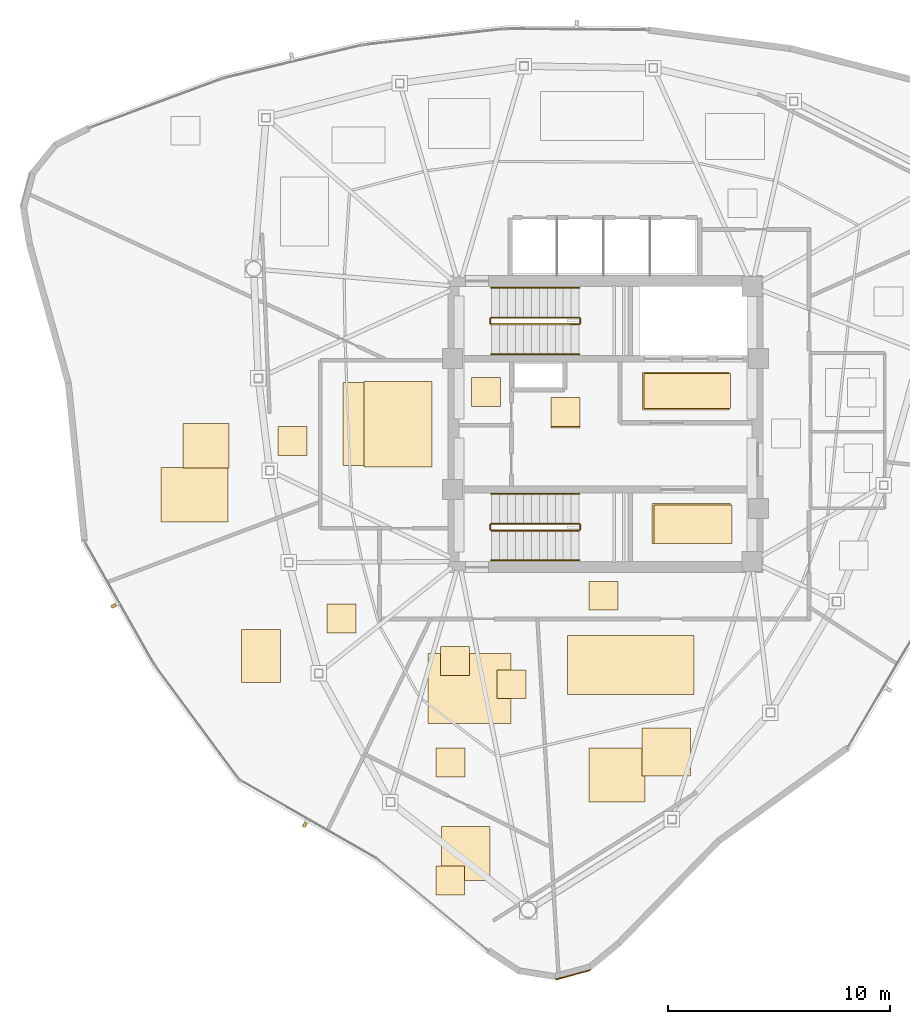
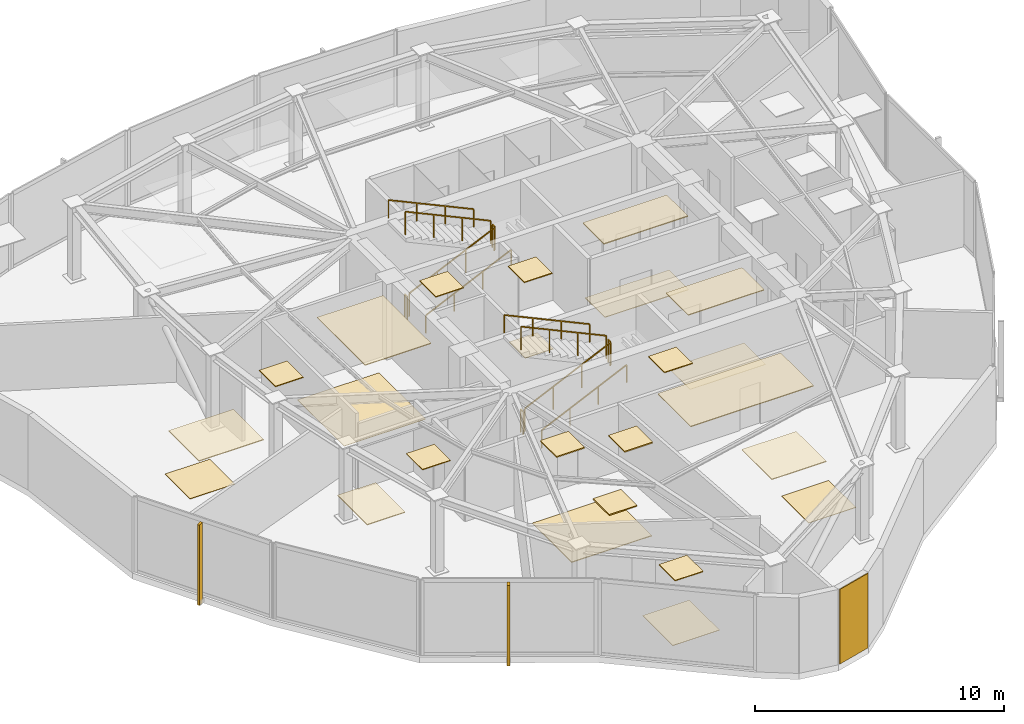
# One storey, part 10 of 11: 25 coverings, 12 railings, 2 shading devices.
"""IFC4 building model written with IfcOpenShell, lengths in metres."""

from ifc_helpers import new_model, si_unit, direction, frame, origin, origin_2d, place, context, subcontext, project, spatial, polyline, rectangle, outline, extrude, source, transform, mapped, material, layer, layer_set, type_object, type_shapes, element, save


model = new_model("IFC4")

# Units and contexts
model_context = context("Model", 3, precision=1e-05, world=origin(), true_north=direction((0.0, 1.0)))
body_context = subcontext(model_context, "Body", "Model", "MODEL_VIEW")
ifc_project = project(units=[si_unit("LENGTHUNIT", "METRE"), si_unit("AREAUNIT", "SQUARE_METRE"), si_unit("VOLUMEUNIT", "CUBIC_METRE"), si_unit("PLANEANGLEUNIT", "RADIAN"), si_unit("MASSUNIT", "GRAM", prefix="KILO")], contexts=[model_context])

# Site, building, storey
site_placement = place(None, origin())
site = spatial("IfcSite", under=ifc_project, at=site_placement, CompositionType="ELEMENT")
building_placement = place(site_placement, origin())
building = spatial("IfcBuilding", under=site, at=building_placement, Name="Tavelor Broadcast Tower", CompositionType="ELEMENT")
storey_placement = place(building_placement, frame((0.0, 0.0, 309.5)))
storey = spatial("IfcBuildingStorey", under=building, at=storey_placement, Name="L74", CompositionType="ELEMENT", Elevation=309.5)

# Coverings
ifc_material_1 = material(Name="Copper-Bronze Anodized Aluminium", Category="aluminium")
ifc_layer_1 = layer(ifc_material_1, 0.044921875)
ifc_layer_set_1 = layer_set([ifc_layer_1], Name="Copper-Bronze Anodized Aluminium")
covering_type_1 = type_object("IfcCoveringType", Name="Anodised Bronze Linear Slatted Concourse Ceiling 45 mm", PredefinedType="CEILING", material=ifc_layer_set_1)
covering_1_placement = place(storey_placement, frame((0.0, 0.0, 3.655029296875)))
element("IfcCovering", 1, at=covering_1_placement, inside=storey, type_object=covering_type_1, Name="L74 Suspended Acoustic Ceiling 2795", PredefinedType="CEILING", context=body_context, shape_type="SweptSolid", body=[
    extrude(outline(polyline([(51.659912109375, 45.6318359375), (55.55712890625, 45.6318359375), (55.55712890625, 47.328125), (51.659912109375, 47.328125), (51.659912109375, 45.6318359375)])), origin(), (0.0, 0.0, 1.0), 0.044921875),
])
covering_2_placement = place(storey_placement, frame((0.0, 0.0, 3.655029296875)))
element("IfcCovering", 2, at=covering_2_placement, inside=storey, type_object=covering_type_1, Name="L74 Suspended Acoustic Ceiling 2797", PredefinedType="CEILING", context=body_context, shape_type="SweptSolid", body=[
    extrude(outline(polyline([(47.5400390625, 44.89794921875), (48.840087890625, 44.89794921875), (48.840087890625, 46.197998046875), (47.5400390625, 46.197998046875), (47.5400390625, 44.89794921875)])), origin(), (0.0, 0.0, 1.0), 0.044921875),
])
ifc_layer_2 = layer(ifc_material_1, 0.050048828125)
ifc_layer_set_2 = layer_set([ifc_layer_2], Name="Copper-Bronze Anodized Aluminium")
covering_type_2 = type_object("IfcCoveringType", Name="Champagne-Bronze Corner Pier Metal Cladding 50 mm", PredefinedType="CLADDING", material=ifc_layer_set_2)
covering_3_placement = place(storey_placement, frame((48.534912109375, 20.165771484375, 0.02001953125), z_axis=(0.0, 0.0, 1.0), x_axis=(0.965244930214, 0.261346943155, 0.0)))
element("IfcCovering", 3, at=covering_3_placement, inside=storey, type_object=covering_type_2, Name="L74 Champagne-Bronze Corner Cladding 13", PredefinedType="CLADDING", context=body_context, shape_type="SweptSolid", body=[
    extrude(rectangle(XDim=1.6025390625, YDim=0.050048828125, at=origin_2d()), origin(), (0.0, 0.0, 1.0), 3.659912109375),
])

# Railings
ifc_material_2 = material(Name="Steel S355", Category="steel")
railing_type_1 = type_object("IfcRailingType", Name="Continuous Brushed Stainless Handrail 900 mm", PredefinedType="HANDRAIL", material=ifc_material_2)
railing_1_placement = place(storey_placement, frame((44.85009765625, 48.14990234375, 0.166748046875)))
element("IfcRailing", 4, at=railing_1_placement, inside=storey, type_object=railing_type_1, Name="L74 ST1 stair handrail 1", PredefinedType="HANDRAIL", context=body_context, shape_type="SweptSolid", body=[
    extrude(rectangle(XDim=0.048095703125, YDim=0.048095703125, at=origin_2d()), frame((0.0, 0.0, 0.8759765625), z_axis=(0.907472437036, 0.0, 0.420111623286), x_axis=(0.0, 1.0, 0.0)), (0.0, 0.0, 1.0), 4.36376953125),
    extrude(rectangle(XDim=0.0419921875, YDim=0.0419921875, at=origin_2d()), origin(), (0.0, 0.0, 1.0), 0.851806640625),
    extrude(rectangle(XDim=0.0419921875, YDim=0.0419921875, at=origin_2d()), frame((1.320068359375, 0.0, 0.611083984375)), (0.0, 0.0, 1.0), 0.851806640625),
    extrude(rectangle(XDim=0.0419921875, YDim=0.0419921875, at=origin_2d()), frame((2.639892578125, 0.0, 1.22216796875)), (0.0, 0.0, 1.0), 0.851806640625),
    extrude(rectangle(XDim=0.0419921875, YDim=0.0419921875, at=origin_2d()), frame((3.9599609375, 0.0, 1.833251953125)), (0.0, 0.0, 1.0), 0.851806640625),
])
railing_2_placement = place(storey_placement, frame((48.81005859375, 51.14990234375, 2.166748046875)))
element("IfcRailing", 5, at=railing_2_placement, inside=storey, type_object=railing_type_1, Name="L74 ST1 stair handrail 2", PredefinedType="HANDRAIL", context=body_context, shape_type="SweptSolid", body=[
    extrude(rectangle(XDim=0.048095703125, YDim=0.048095703125, at=origin_2d()), frame((0.0, 0.0, 0.8759765625), z_axis=(-0.907472437036, 0.0, 0.420111623286), x_axis=(0.0, -1.0, 0.0)), (0.0, 0.0, 1.0), 4.36376953125),
    extrude(rectangle(XDim=0.0419921875, YDim=0.0419921875, at=origin_2d()), origin(), (0.0, 0.0, 1.0), 0.851806640625),
    extrude(rectangle(XDim=0.0419921875, YDim=0.0419921875, at=origin_2d()), frame((-1.320068359375, 0.0, 0.611083984375)), (0.0, 0.0, 1.0), 0.851806640625),
    extrude(rectangle(XDim=0.0419921875, YDim=0.0419921875, at=origin_2d()), frame((-2.639892578125, 0.0, 1.22216796875)), (0.0, 0.0, 1.0), 0.851806640625),
    extrude(rectangle(XDim=0.0419921875, YDim=0.0419921875, at=origin_2d()), frame((-3.9599609375, 0.0, 1.833251953125)), (0.0, 0.0, 1.0), 0.851806640625),
])
railing_3_placement = place(storey_placement, frame((44.85009765625, 38.85009765625, 0.166748046875)))
element("IfcRailing", 6, at=railing_3_placement, inside=storey, type_object=railing_type_1, Name="L74 ST2 stair handrail 1", PredefinedType="HANDRAIL", context=body_context, shape_type="SweptSolid", body=[
    extrude(rectangle(XDim=0.048095703125, YDim=0.048095703125, at=origin_2d()), frame((0.0, 0.0, 0.8759765625), z_axis=(0.907472437036, 0.0, 0.420111623286), x_axis=(0.0, 1.0, 0.0)), (0.0, 0.0, 1.0), 4.36376953125),
    extrude(rectangle(XDim=0.0419921875, YDim=0.0419921875, at=origin_2d()), origin(), (0.0, 0.0, 1.0), 0.851806640625),
    extrude(rectangle(XDim=0.0419921875, YDim=0.0419921875, at=origin_2d()), frame((1.320068359375, 0.0, 0.611083984375)), (0.0, 0.0, 1.0), 0.851806640625),
    extrude(rectangle(XDim=0.0419921875, YDim=0.0419921875, at=origin_2d()), frame((2.639892578125, 0.0, 1.22216796875)), (0.0, 0.0, 1.0), 0.851806640625),
    extrude(rectangle(XDim=0.0419921875, YDim=0.0419921875, at=origin_2d()), frame((3.9599609375, 0.0, 1.833251953125)), (0.0, 0.0, 1.0), 0.851806640625),
])
railing_4_placement = place(storey_placement, frame((48.81005859375, 41.85009765625, 2.166748046875)))
element("IfcRailing", 7, at=railing_4_placement, inside=storey, type_object=railing_type_1, Name="L74 ST2 stair handrail 2", PredefinedType="HANDRAIL", context=body_context, shape_type="SweptSolid", body=[
    extrude(rectangle(XDim=0.048095703125, YDim=0.048095703125, at=origin_2d()), frame((0.0, 0.0, 0.8759765625), z_axis=(-0.907472437036, 0.0, 0.420111623286), x_axis=(0.0, -1.0, 0.0)), (0.0, 0.0, 1.0), 4.36376953125),
    extrude(rectangle(XDim=0.0419921875, YDim=0.0419921875, at=origin_2d()), origin(), (0.0, 0.0, 1.0), 0.851806640625),
    extrude(rectangle(XDim=0.0419921875, YDim=0.0419921875, at=origin_2d()), frame((-1.320068359375, 0.0, 0.611083984375)), (0.0, 0.0, 1.0), 0.851806640625),
    extrude(rectangle(XDim=0.0419921875, YDim=0.0419921875, at=origin_2d()), frame((-2.639892578125, 0.0, 1.22216796875)), (0.0, 0.0, 1.0), 0.851806640625),
    extrude(rectangle(XDim=0.0419921875, YDim=0.0419921875, at=origin_2d()), frame((-3.9599609375, 0.0, 1.833251953125)), (0.0, 0.0, 1.0), 0.851806640625),
])

# Coverings
ifc_material_3 = material(Name="Architectural Anodized Aluminium", Category="aluminium")
ifc_layer_3 = layer(ifc_material_3, 0.034912109375)
ifc_layer_set_3 = layer_set([ifc_layer_3], Name="Architectural Anodized Aluminium")
covering_type_3 = type_object("IfcCoveringType", Name="Demountable Metal Tile Corridor Ceiling 35 mm", PredefinedType="CEILING", material=ifc_layer_set_3)
covering_4_placement = place(storey_placement, frame((0.0, 0.0, 3.6650390625)))
element("IfcCovering", 8, at=covering_4_placement, inside=storey, type_object=covering_type_3, Name="L74 Suspended Acoustic Ceiling 2800", PredefinedType="CEILING", context=body_context, shape_type="SweptSolid", body=[
    extrude(outline(polyline([(49.261474609375, 36.610107421875), (50.5615234375, 36.610107421875), (50.5615234375, 37.909912109375), (49.261474609375, 37.909912109375), (49.261474609375, 36.610107421875)])), origin(), (0.0, 0.0, 1.0), 0.034912109375),
])
ifc_material_4 = material(Name="Acoustic Nylon Carpet Tile")
ifc_layer_4 = layer(ifc_material_4, 0.02001953125)
ifc_layer_set_4 = layer_set([ifc_layer_4], Name="Acoustic Nylon Carpet Tile")
covering_type_4 = type_object("IfcCoveringType", Name="Heavy-Duty Acoustic Broadcast Carpet Tile 20 mm", PredefinedType="FLOORING", material=ifc_layer_set_4)
covering_5_placement = place(storey_placement, origin())
element("IfcCovering", 9, at=covering_5_placement, inside=storey, type_object=covering_type_4, Name="L74 Broadcast Floor Finish 1100", PredefinedType="FLOORING", context=body_context, shape_type="SweptSolid", body=[
    extrude(outline(polyline([(52.176025390625, 39.611328125), (55.694091796875, 39.611328125), (55.694091796875, 41.341552734375), (52.176025390625, 41.341552734375), (52.176025390625, 39.611328125)])), origin(), (0.0, 0.0, 1.0), 0.02001953125),
])
covering_6_placement = place(storey_placement, origin())
element("IfcCovering", 10, at=covering_6_placement, inside=storey, type_object=covering_type_4, Name="L74 Broadcast Floor Finish 1103", PredefinedType="FLOORING", context=body_context, shape_type="SweptSolid", body=[
    extrude(outline(polyline([(38.15771484375, 43.12890625), (41.942138671875, 43.12890625), (41.942138671875, 46.87060546875), (38.15771484375, 46.87060546875), (38.15771484375, 43.12890625)])), origin(), (0.0, 0.0, 1.0), 0.02001953125),
])
covering_7_placement = place(storey_placement, origin())
element("IfcCovering", 11, at=covering_7_placement, inside=storey, type_object=covering_type_4, Name="L74 Broadcast Floor Finish 1107", PredefinedType="FLOORING", context=body_context, shape_type="SweptSolid", body=[
    extrude(outline(polyline([(51.633056640625, 29.121826171875), (53.819580078125, 29.121826171875), (53.819580078125, 31.30322265625), (51.633056640625, 31.30322265625), (51.633056640625, 29.121826171875)])), origin(), (0.0, 0.0, 1.0), 0.02001953125),
])
covering_8_placement = place(storey_placement, origin())
element("IfcCovering", 12, at=covering_8_placement, inside=storey, type_object=covering_type_4, Name="L74 Broadcast Floor Finish 1108", PredefinedType="FLOORING", context=body_context, shape_type="SweptSolid", body=[
    extrude(outline(polyline([(42.606689453125, 24.415771484375), (44.77783203125, 24.415771484375), (44.77783203125, 26.846923828125), (42.606689453125, 26.846923828125), (42.606689453125, 24.415771484375)])), origin(), (0.0, 0.0, 1.0), 0.02001953125),
])
covering_9_placement = place(storey_placement, origin())
element("IfcCovering", 13, at=covering_9_placement, inside=storey, type_object=covering_type_4, Name="L74 Broadcast Floor Finish 1109", PredefinedType="FLOORING", context=body_context, shape_type="SweptSolid", body=[
    extrude(outline(polyline([(30.9501953125, 43.020263671875), (33.0234375, 43.020263671875), (33.0234375, 45.0283203125), (30.9501953125, 45.0283203125), (30.9501953125, 43.020263671875)])), origin(), (0.0, 0.0, 1.0), 0.02001953125),
])
ifc_material_5 = material(Name="Honed Natural Limestone Tile", Category="masonry")
ifc_layer_5 = layer(ifc_material_5, 0.030029296875)
ifc_layer_set_5 = layer_set([ifc_layer_5], Name="Honed Natural Limestone Tile")
covering_type_5 = type_object("IfcCoveringType", Name="Honed Jerusalem Limestone Concourse Flooring 30 mm", PredefinedType="FLOORING", material=ifc_layer_set_5)
covering_10_placement = place(storey_placement, origin())
element("IfcCovering", 14, at=covering_10_placement, inside=storey, type_object=covering_type_5, Name="L74 Broadcast Floor Finish 1099", PredefinedType="FLOORING", context=body_context, shape_type="SweptSolid", body=[
    extrude(outline(polyline([(51.7373046875, 45.689453125), (55.62255859375, 45.689453125), (55.62255859375, 47.2705078125), (51.7373046875, 47.2705078125), (51.7373046875, 45.689453125)])), origin(), (0.0, 0.0, 1.0), 0.030029296875),
])
covering_11_placement = place(storey_placement, origin())
element("IfcCovering", 15, at=covering_11_placement, inside=storey, type_object=covering_type_5, Name="L74 Broadcast Floor Finish 1101", PredefinedType="FLOORING", context=body_context, shape_type="SweptSolid", body=[
    extrude(outline(polyline([(47.5400390625, 44.818115234375), (48.840087890625, 44.818115234375), (48.840087890625, 46.117919921875), (47.5400390625, 46.117919921875), (47.5400390625, 44.818115234375)])), origin(), (0.0, 0.0, 1.0), 0.030029296875),
])
ifc_material_6 = material(Name="Acoustic Hardwood Studio Flooring", Category="wood")
ifc_layer_6 = layer(ifc_material_6, 0.034912109375)
ifc_layer_set_6 = layer_set([ifc_layer_6], Name="Acoustic Hardwood Studio Flooring")
covering_type_6 = type_object("IfcCoveringType", Name="Isolated Studio Acoustic Elastomeric Floor Finish 35 mm", PredefinedType="FLOORING", material=ifc_layer_set_6)
covering_12_placement = place(storey_placement, origin())
element("IfcCovering", 16, at=covering_12_placement, inside=storey, type_object=covering_type_6, Name="L74 Broadcast Floor Finish 1110", PredefinedType="FLOORING", context=body_context, shape_type="SweptSolid", body=[
    extrude(outline(polyline([(42.003173828125, 31.493896484375), (45.72509765625, 31.493896484375), (45.72509765625, 34.652099609375), (42.003173828125, 34.652099609375), (42.003173828125, 31.493896484375)])), origin(), (0.0, 0.0, 1.0), 0.034912109375),
])
ifc_material_7 = material(Name="Acoustic Perforated Timber Baffle", Category="wood")
ifc_layer_7 = layer(ifc_material_7, 0.054931640625)
ifc_layer_set_7 = layer_set([ifc_layer_7], Name="Acoustic Perforated Timber Baffle")
covering_type_7 = type_object("IfcCoveringType", Name="Micro-Perforated Acoustic Baffle Studio Ceiling 55 mm", PredefinedType="CEILING", material=ifc_layer_set_7)
covering_13_placement = place(storey_placement, frame((0.0, 0.0, 3.64501953125)))
element("IfcCovering", 17, at=covering_13_placement, inside=storey, type_object=covering_type_7, Name="L74 Suspended Acoustic Ceiling 2820", PredefinedType="CEILING", context=body_context, shape_type="SweptSolid", body=[
    extrude(outline(polyline([(45.1083984375, 32.614501953125), (46.408447265625, 32.614501953125), (46.408447265625, 33.91455078125), (45.1083984375, 33.91455078125), (45.1083984375, 32.614501953125)])), origin(), (0.0, 0.0, 1.0), 0.054931640625),
])
covering_14_placement = place(storey_placement, frame((0.0, 0.0, 3.64501953125)))
element("IfcCovering", 18, at=covering_14_placement, inside=storey, type_object=covering_type_7, Name="L74 Suspended Acoustic Ceiling 2821", PredefinedType="CEILING", context=body_context, shape_type="SweptSolid", body=[
    extrude(outline(polyline([(42.353515625, 29.0888671875), (43.6533203125, 29.0888671875), (43.6533203125, 30.388916015625), (42.353515625, 30.388916015625), (42.353515625, 29.0888671875)])), origin(), (0.0, 0.0, 1.0), 0.054931640625),
])
covering_15_placement = place(storey_placement, frame((0.0, 0.0, 3.64501953125)))
element("IfcCovering", 19, at=covering_15_placement, inside=storey, type_object=covering_type_7, Name="L74 Suspended Acoustic Ceiling 2822", PredefinedType="CEILING", context=body_context, shape_type="SweptSolid", body=[
    extrude(outline(polyline([(42.554443359375, 33.66650390625), (43.8544921875, 33.66650390625), (43.8544921875, 34.966552734375), (42.554443359375, 34.966552734375), (42.554443359375, 33.66650390625)])), origin(), (0.0, 0.0, 1.0), 0.054931640625),
])

# Railings
railing_type_2 = type_object("IfcRailingType", Name="Stairwell Steel Safety Guardrail 1150 mm", PredefinedType="GUARDRAIL", material=ifc_material_2)
railing_5_placement = place(storey_placement, frame((44.85009765625, 49.5, 0.166748046875)))
element("IfcRailing", 20, at=railing_5_placement, inside=storey, type_object=railing_type_2, Name="L74 ST1 stair guard 1", PredefinedType="GUARDRAIL", context=body_context, shape_type="SweptSolid", body=[
    extrude(rectangle(XDim=0.048095703125, YDim=0.048095703125, at=origin_2d()), frame((0.0, 0.0, 1.1259765625), z_axis=(0.907472437036, 0.0, 0.420111623286), x_axis=(0.0, 1.0, 0.0)), (0.0, 0.0, 1.0), 4.36376953125),
    extrude(rectangle(XDim=0.0419921875, YDim=0.0419921875, at=origin_2d()), origin(), (0.0, 0.0, 1.0), 1.101806640625),
    extrude(rectangle(XDim=0.0419921875, YDim=0.0419921875, at=origin_2d()), frame((1.320068359375, 0.0, 0.611083984375)), (0.0, 0.0, 1.0), 1.101806640625),
    extrude(rectangle(XDim=0.0419921875, YDim=0.0419921875, at=origin_2d()), frame((2.639892578125, 0.0, 1.22216796875)), (0.0, 0.0, 1.0), 1.101806640625),
    extrude(rectangle(XDim=0.0419921875, YDim=0.0419921875, at=origin_2d()), frame((3.9599609375, 0.0, 1.833251953125)), (0.0, 0.0, 1.0), 1.101806640625),
])
railing_6_placement = place(storey_placement, frame((48.860107421875, 49.550048828125, 2.0)))
element("IfcRailing", 21, at=railing_6_placement, inside=storey, type_object=railing_type_2, Name="L74 ST1 stair guard 2", PredefinedType="GUARDRAIL", context=body_context, shape_type="SweptSolid", body=[
    extrude(rectangle(XDim=0.048095703125, YDim=0.048095703125, at=origin_2d()), frame((0.0, 0.0, 1.1259765625), z_axis=(0.0, 1.0, 0.0), x_axis=(-1.0, 0.0, 0.0)), (0.0, 0.0, 1.0), 0.199951171875),
    extrude(rectangle(XDim=0.0419921875, YDim=0.0419921875, at=origin_2d()), origin(), (0.0, 0.0, 1.0), 1.101806640625),
    extrude(rectangle(XDim=0.0419921875, YDim=0.0419921875, at=origin_2d()), frame((0.0, 0.199951171875, 0.0)), (0.0, 0.0, 1.0), 1.101806640625),
])
railing_7_placement = place(storey_placement, frame((48.81005859375, 49.800048828125, 2.166748046875)))
element("IfcRailing", 22, at=railing_7_placement, inside=storey, type_object=railing_type_2, Name="L74 ST1 stair guard 3", PredefinedType="GUARDRAIL", context=body_context, shape_type="SweptSolid", body=[
    extrude(rectangle(XDim=0.048095703125, YDim=0.048095703125, at=origin_2d()), frame((0.0, 0.0, 1.1259765625), z_axis=(-0.907472437036, 0.0, 0.420111623286), x_axis=(0.0, -1.0, 0.0)), (0.0, 0.0, 1.0), 4.36376953125),
    extrude(rectangle(XDim=0.0419921875, YDim=0.0419921875, at=origin_2d()), origin(), (0.0, 0.0, 1.0), 1.101806640625),
    extrude(rectangle(XDim=0.0419921875, YDim=0.0419921875, at=origin_2d()), frame((-1.320068359375, 0.0, 0.611083984375)), (0.0, 0.0, 1.0), 1.101806640625),
    extrude(rectangle(XDim=0.0419921875, YDim=0.0419921875, at=origin_2d()), frame((-2.639892578125, 0.0, 1.22216796875)), (0.0, 0.0, 1.0), 1.101806640625),
    extrude(rectangle(XDim=0.0419921875, YDim=0.0419921875, at=origin_2d()), frame((-3.9599609375, 0.0, 1.833251953125)), (0.0, 0.0, 1.0), 1.101806640625),
])
railing_8_placement = place(storey_placement, frame((44.800048828125, 49.550048828125, 0.0)))
element("IfcRailing", 23, at=railing_8_placement, inside=storey, type_object=railing_type_2, Name="L74 ST1 stair guard 4", PredefinedType="GUARDRAIL", context=body_context, shape_type="SweptSolid", body=[
    extrude(rectangle(XDim=0.048095703125, YDim=0.048095703125, at=origin_2d()), frame((0.0, 0.0, 1.1259765625), z_axis=(0.0, 1.0, 0.0), x_axis=(-1.0, 0.0, 0.0)), (0.0, 0.0, 1.0), 0.199951171875),
    extrude(rectangle(XDim=0.0419921875, YDim=0.0419921875, at=origin_2d()), origin(), (0.0, 0.0, 1.0), 1.101806640625),
    extrude(rectangle(XDim=0.0419921875, YDim=0.0419921875, at=origin_2d()), frame((0.0, 0.199951171875, 0.0)), (0.0, 0.0, 1.0), 1.101806640625),
])
railing_9_placement = place(storey_placement, frame((44.85009765625, 40.199951171875, 0.166748046875)))
element("IfcRailing", 24, at=railing_9_placement, inside=storey, type_object=railing_type_2, Name="L74 ST2 stair guard 1", PredefinedType="GUARDRAIL", context=body_context, shape_type="SweptSolid", body=[
    extrude(rectangle(XDim=0.048095703125, YDim=0.048095703125, at=origin_2d()), frame((0.0, 0.0, 1.1259765625), z_axis=(0.907472437036, 0.0, 0.420111623286), x_axis=(0.0, 1.0, 0.0)), (0.0, 0.0, 1.0), 4.36376953125),
    extrude(rectangle(XDim=0.0419921875, YDim=0.0419921875, at=origin_2d()), origin(), (0.0, 0.0, 1.0), 1.101806640625),
    extrude(rectangle(XDim=0.0419921875, YDim=0.0419921875, at=origin_2d()), frame((1.320068359375, 0.0, 0.611083984375)), (0.0, 0.0, 1.0), 1.101806640625),
    extrude(rectangle(XDim=0.0419921875, YDim=0.0419921875, at=origin_2d()), frame((2.639892578125, 0.0, 1.22216796875)), (0.0, 0.0, 1.0), 1.101806640625),
    extrude(rectangle(XDim=0.0419921875, YDim=0.0419921875, at=origin_2d()), frame((3.9599609375, 0.0, 1.833251953125)), (0.0, 0.0, 1.0), 1.101806640625),
])
railing_10_placement = place(storey_placement, frame((48.860107421875, 40.25, 2.0)))
element("IfcRailing", 25, at=railing_10_placement, inside=storey, type_object=railing_type_2, Name="L74 ST2 stair guard 2", PredefinedType="GUARDRAIL", context=body_context, shape_type="SweptSolid", body=[
    extrude(rectangle(XDim=0.048095703125, YDim=0.048095703125, at=origin_2d()), frame((0.0, 0.0, 1.1259765625), z_axis=(0.0, 1.0, 0.0), x_axis=(-1.0, 0.0, 0.0)), (0.0, 0.0, 1.0), 0.199951171875),
    extrude(rectangle(XDim=0.0419921875, YDim=0.0419921875, at=origin_2d()), origin(), (0.0, 0.0, 1.0), 1.101806640625),
    extrude(rectangle(XDim=0.0419921875, YDim=0.0419921875, at=origin_2d()), frame((0.0, 0.199951171875, 0.0)), (0.0, 0.0, 1.0), 1.101806640625),
])
railing_11_placement = place(storey_placement, frame((48.81005859375, 40.5, 2.166748046875)))
element("IfcRailing", 26, at=railing_11_placement, inside=storey, type_object=railing_type_2, Name="L74 ST2 stair guard 3", PredefinedType="GUARDRAIL", context=body_context, shape_type="SweptSolid", body=[
    extrude(rectangle(XDim=0.048095703125, YDim=0.048095703125, at=origin_2d()), frame((0.0, 0.0, 1.1259765625), z_axis=(-0.907472437036, 0.0, 0.420111623286), x_axis=(0.0, -1.0, 0.0)), (0.0, 0.0, 1.0), 4.36376953125),
    extrude(rectangle(XDim=0.0419921875, YDim=0.0419921875, at=origin_2d()), origin(), (0.0, 0.0, 1.0), 1.101806640625),
    extrude(rectangle(XDim=0.0419921875, YDim=0.0419921875, at=origin_2d()), frame((-1.320068359375, 0.0, 0.611083984375)), (0.0, 0.0, 1.0), 1.101806640625),
    extrude(rectangle(XDim=0.0419921875, YDim=0.0419921875, at=origin_2d()), frame((-2.639892578125, 0.0, 1.22216796875)), (0.0, 0.0, 1.0), 1.101806640625),
    extrude(rectangle(XDim=0.0419921875, YDim=0.0419921875, at=origin_2d()), frame((-3.9599609375, 0.0, 1.833251953125)), (0.0, 0.0, 1.0), 1.101806640625),
])
railing_12_placement = place(storey_placement, frame((44.800048828125, 40.25, 0.0)))
element("IfcRailing", 27, at=railing_12_placement, inside=storey, type_object=railing_type_2, Name="L74 ST2 stair guard 4", PredefinedType="GUARDRAIL", context=body_context, shape_type="SweptSolid", body=[
    extrude(rectangle(XDim=0.048095703125, YDim=0.048095703125, at=origin_2d()), frame((0.0, 0.0, 1.1259765625), z_axis=(0.0, 1.0, 0.0), x_axis=(-1.0, 0.0, 0.0)), (0.0, 0.0, 1.0), 0.199951171875),
    extrude(rectangle(XDim=0.0419921875, YDim=0.0419921875, at=origin_2d()), origin(), (0.0, 0.0, 1.0), 1.101806640625),
    extrude(rectangle(XDim=0.0419921875, YDim=0.0419921875, at=origin_2d()), frame((0.0, 0.199951171875, 0.0)), (0.0, 0.0, 1.0), 1.101806640625),
])

# Coverings
ifc_material_8 = material(Name="Acoustic Mineral Fibre Tile")
ifc_layer_8 = layer(ifc_material_8, 0.0400390625)
ifc_layer_set_8 = layer_set([ifc_layer_8], Name="Acoustic Mineral Fibre Tile")
covering_type_8 = type_object("IfcCoveringType", Name="Suspended Acoustic Mineral-Fibre Office Ceiling 40 mm", PredefinedType="CEILING", material=ifc_layer_set_8)
covering_16_placement = place(storey_placement, frame((0.0, 0.0, 3.659912109375)))
element("IfcCovering", 28, at=covering_16_placement, inside=storey, type_object=covering_type_8, Name="L74 Suspended Acoustic Ceiling 2796", PredefinedType="CEILING", context=body_context, shape_type="SweptSolid", body=[
    extrude(outline(polyline([(52.098388671875, 39.62255859375), (55.628662109375, 39.62255859375), (55.628662109375, 41.410400390625), (52.098388671875, 41.410400390625), (52.098388671875, 39.62255859375)])), origin(), (0.0, 0.0, 1.0), 0.0400390625),
])
covering_17_placement = place(storey_placement, frame((0.0, 0.0, 3.659912109375)))
element("IfcCovering", 29, at=covering_17_placement, inside=storey, type_object=covering_type_8, Name="L74 Suspended Acoustic Ceiling 2798", PredefinedType="CEILING", context=body_context, shape_type="SweptSolid", body=[
    extrude(outline(polyline([(43.951416015625, 45.794921875), (45.25146484375, 45.794921875), (45.25146484375, 47.094970703125), (43.951416015625, 47.094970703125), (43.951416015625, 45.794921875)])), origin(), (0.0, 0.0, 1.0), 0.0400390625),
])
covering_18_placement = place(storey_placement, frame((0.0, 0.0, 3.659912109375)))
element("IfcCovering", 30, at=covering_18_placement, inside=storey, type_object=covering_type_8, Name="L74 Suspended Acoustic Ceiling 2801", PredefinedType="CEILING", context=body_context, shape_type="SweptSolid", body=[
    extrude(outline(polyline([(39.10107421875, 43.0712890625), (42.16259765625, 43.0712890625), (42.16259765625, 46.927978515625), (39.10107421875, 46.927978515625), (39.10107421875, 43.0712890625)])), origin(), (0.0, 0.0, 1.0), 0.0400390625),
])
covering_19_placement = place(storey_placement, frame((0.0, 0.0, 3.659912109375)))
element("IfcCovering", 31, at=covering_19_placement, inside=storey, type_object=covering_type_8, Name="L74 Suspended Acoustic Ceiling 2806", PredefinedType="CEILING", context=body_context, shape_type="SweptSolid", body=[
    extrude(outline(polyline([(49.25048828125, 27.966796875), (51.77978515625, 27.966796875), (51.77978515625, 30.3818359375), (49.25048828125, 30.3818359375), (49.25048828125, 27.966796875)])), origin(), (0.0, 0.0, 1.0), 0.0400390625),
])
covering_20_placement = place(storey_placement, frame((0.0, 0.0, 3.659912109375)))
element("IfcCovering", 32, at=covering_20_placement, inside=storey, type_object=covering_type_8, Name="L74 Suspended Acoustic Ceiling 2807", PredefinedType="CEILING", context=body_context, shape_type="SweptSolid", body=[
    extrude(outline(polyline([(48.2841796875, 32.8076171875), (53.989501953125, 32.8076171875), (53.989501953125, 35.457763671875), (48.2841796875, 35.457763671875), (48.2841796875, 32.8076171875)])), origin(), (0.0, 0.0, 1.0), 0.0400390625),
])
covering_21_placement = place(storey_placement, frame((0.0, 0.0, 3.659912109375)))
element("IfcCovering", 33, at=covering_21_placement, inside=storey, type_object=covering_type_8, Name="L74 Suspended Acoustic Ceiling 2808", PredefinedType="CEILING", context=body_context, shape_type="SweptSolid", body=[
    extrude(outline(polyline([(42.342041015625, 23.76806640625), (43.64208984375, 23.76806640625), (43.64208984375, 25.068115234375), (42.342041015625, 25.068115234375), (42.342041015625, 23.76806640625)])), origin(), (0.0, 0.0, 1.0), 0.0400390625),
])
covering_22_placement = place(storey_placement, frame((0.0, 0.0, 3.659912109375)))
element("IfcCovering", 34, at=covering_22_placement, inside=storey, type_object=covering_type_8, Name="L74 Suspended Acoustic Ceiling 2809", PredefinedType="CEILING", context=body_context, shape_type="SweptSolid", body=[
    extrude(outline(polyline([(33.5830078125, 33.346435546875), (35.343994140625, 33.346435546875), (35.343994140625, 35.727783203125), (33.5830078125, 35.727783203125), (33.5830078125, 33.346435546875)])), origin(), (0.0, 0.0, 1.0), 0.0400390625),
])
covering_23_placement = place(storey_placement, frame((0.0, 0.0, 3.659912109375)))
element("IfcCovering", 35, at=covering_23_placement, inside=storey, type_object=covering_type_8, Name="L74 Suspended Acoustic Ceiling 2810", PredefinedType="CEILING", context=body_context, shape_type="SweptSolid", body=[
    extrude(outline(polyline([(37.435546875, 35.577392578125), (38.735595703125, 35.577392578125), (38.735595703125, 36.877197265625), (37.435546875, 36.877197265625), (37.435546875, 35.577392578125)])), origin(), (0.0, 0.0, 1.0), 0.0400390625),
])
covering_24_placement = place(storey_placement, frame((0.0, 0.0, 3.659912109375)))
element("IfcCovering", 36, at=covering_24_placement, inside=storey, type_object=covering_type_8, Name="L74 Suspended Acoustic Ceiling 2811", PredefinedType="CEILING", context=body_context, shape_type="SweptSolid", body=[
    extrude(outline(polyline([(35.231201171875, 43.5810546875), (36.53125, 43.5810546875), (36.53125, 44.881103515625), (35.231201171875, 44.881103515625), (35.231201171875, 43.5810546875)])), origin(), (0.0, 0.0, 1.0), 0.0400390625),
])
covering_25_placement = place(storey_placement, frame((0.0, 0.0, 3.659912109375)))
element("IfcCovering", 37, at=covering_25_placement, inside=storey, type_object=covering_type_8, Name="L74 Suspended Acoustic Ceiling 2812", PredefinedType="CEILING", context=body_context, shape_type="SweptSolid", body=[
    extrude(outline(polyline([(29.962646484375, 40.59326171875), (32.96826171875, 40.59326171875), (32.96826171875, 43.0380859375), (29.962646484375, 43.0380859375), (29.962646484375, 40.59326171875)])), origin(), (0.0, 0.0, 1.0), 0.0400390625),
])

# Shading devices
ifc_material_9 = material(Name="Kiln-Fired Glazed Terracotta", Category="masonry")
shading_device_type = type_object("IfcShadingDeviceType", Name="Extruded Terracotta Baguette Sun-Screen 110x240", PredefinedType="JALOUSIE", material=ifc_material_9)
shared_shape = source(origin(), body_context, "Body", "SweptSolid", [
    extrude(rectangle(XDim=0.110107421875, YDim=0.239990234375, at=origin_2d()), origin(), (0.0, 0.0, 1.0), 3.93994140625),
])
type_shapes(shading_device_type, [shared_shape])
for number, where, z_axis, x_axis, name in (
    (38, (27.816162109375, 36.79931640625, -0.260009765625), (0.0, 0.0, 1.0), (0.492727341548, -0.87018375467, 0.0), "L74 Terracotta Baguette Fin 715"),
    (39, (36.432861328125, 26.927734375, -0.260009765625), (0.0, 0.0, 1.0), (0.867591923867, -0.49727683803, 0.0), "L74 Terracotta Baguette Fin 716"),
):
    element("IfcShadingDevice", number, at=place(storey_placement, frame(where, z_axis=z_axis, x_axis=x_axis)), inside=storey, type_object=shading_device_type, Name=name, PredefinedType="JALOUSIE", context=body_context, shape_type="MappedRepresentation", body=[
        mapped(shared_shape, transform((0.0, 0.0, 0.0), scale=1.0)),
    ])

save(model, "model.ifc")
